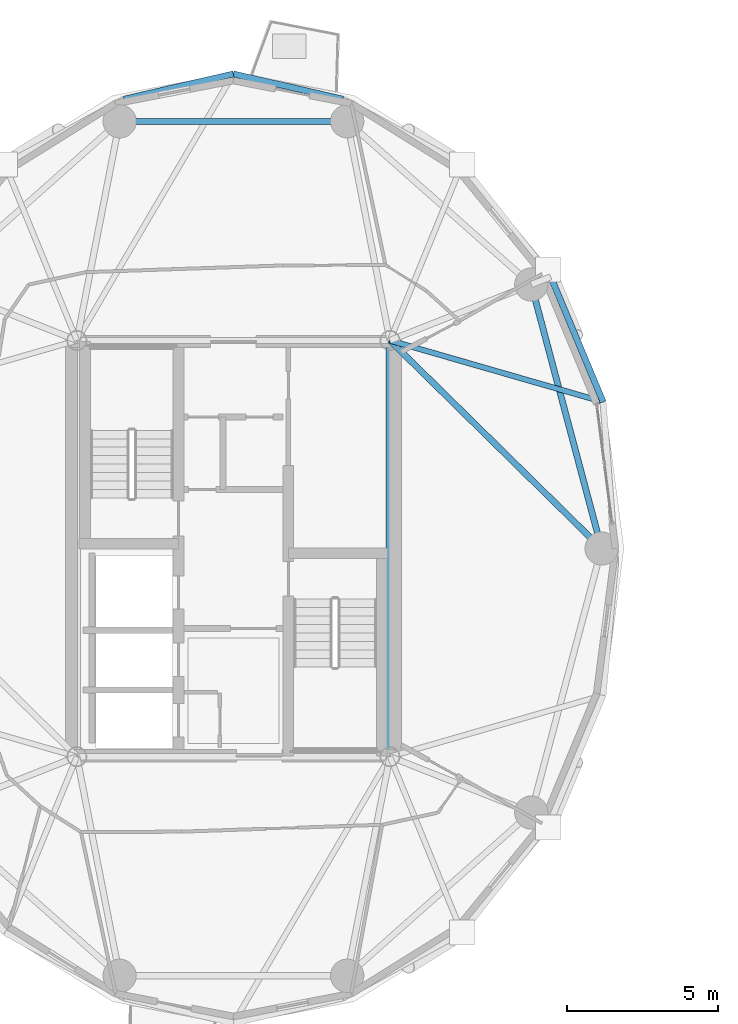
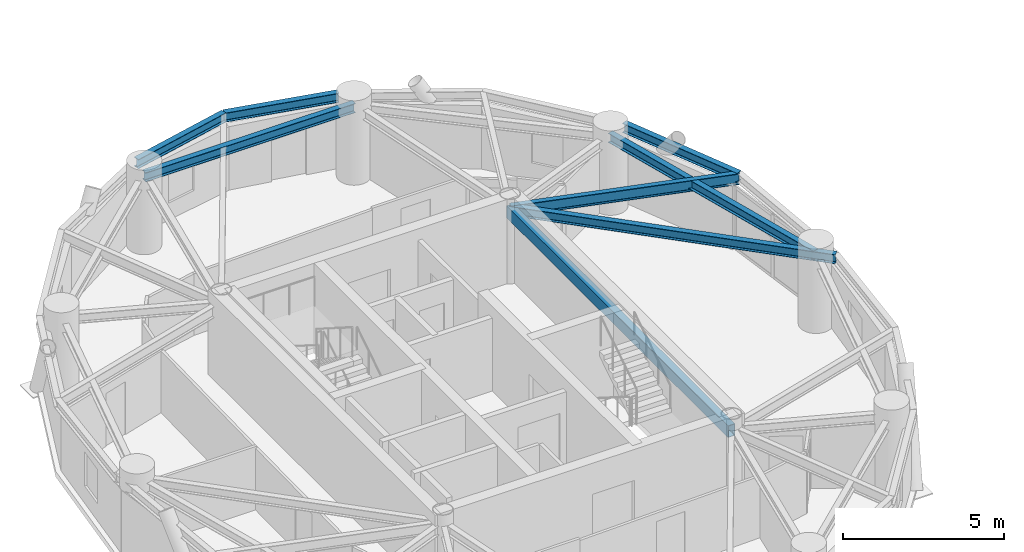
# One storey, part 2 of 15: 8 beams.
"""IFC4 building model written with IfcOpenShell, lengths in metres."""

from ifc_helpers import new_model, si_unit, direction, frame, origin, origin_2d, place, context, subcontext, project, spatial, hollow_rectangle, i_section, extrude, material, material_profile, profile_set, type_object, element, save


model = new_model("IFC4")

# Units and contexts
model_context = context("Model", 3, precision=1e-05, world=origin(), true_north=direction((0.0, 1.0)))
body_context = subcontext(model_context, "Body", "Model", "MODEL_VIEW")
ifc_project = project(units=[si_unit("LENGTHUNIT", "METRE"), si_unit("AREAUNIT", "SQUARE_METRE"), si_unit("VOLUMEUNIT", "CUBIC_METRE"), si_unit("PLANEANGLEUNIT", "RADIAN"), si_unit("MASSUNIT", "GRAM", prefix="KILO")], contexts=[model_context])

# Site, building, storey
site_placement = place(None, origin())
site = spatial("IfcSite", under=ifc_project, at=site_placement, CompositionType="ELEMENT")
building_placement = place(site_placement, origin())
building = spatial("IfcBuilding", under=site, at=building_placement, Name="Cununo Teusaquillo Station Towers", CompositionType="ELEMENT")
storey_placement = place(building_placement, frame((0.0, 0.0, 232.449951171875)))
storey = spatial("IfcBuildingStorey", under=building, at=storey_placement, Name="L74", CompositionType="ELEMENT", Elevation=232.449951171875)

# Beams
ifc_material_1 = material(Name="Steel EN 10025-2 S355J2", Category="steel")
ifc_material_profile_1 = material_profile(ifc_material_1, hollow_rectangle(XDim=0.25, YDim=0.449951171875, WallThickness=0.01611328125, at=origin_2d()), Name="RHS 450x250x16")
ifc_profile_set_1 = profile_set([ifc_material_profile_1], Name="Steel EN 10025-2 S355J2")
beam_type_1 = type_object("IfcBeamType", Name="BM-COUP-1", PredefinedType="USERDEFINED", material=ifc_profile_set_1)
beam_1_placement = place(storey_placement, frame((21.675048828125, 17.6201171875, 2.554931640625), z_axis=(0.0, 1.0, 0.0), x_axis=(-1.0, 0.0, 0.0)))
element("IfcBeam", 1, at=beam_1_placement, inside=storey, type_object=beam_type_1, Name="L74 Tower A Core Beam 2", ObjectType="COUPLING BEAM", PredefinedType="USERDEFINED", context=body_context, shape_type="SweptSolid", body=[
    extrude(hollow_rectangle(XDim=0.25, YDim=0.449951171875, WallThickness=0.01611328125, at=origin_2d()), origin(), (0.0, 0.0, 1.0), 13.759765625),
])
ifc_material_2 = material(Name="Steel ASTM A572 Grade 50", Category="steel")
ifc_material_profile_2 = material_profile(ifc_material_2, i_section(OverallWidth=0.180908203125, OverallDepth=0.4169921875, WebThickness=0.010986328125, FlangeThickness=0.018310546875, FilletRadius=0.012939453125, at=origin_2d()), Name="W16X57")
ifc_profile_set_2 = profile_set([ifc_material_profile_2], Name="Steel ASTM A572 Grade 50")
beam_type_2 = type_object("IfcBeamType", Name="BM-JOIST-1", PredefinedType="JOIST", material=ifc_profile_set_2)
beam_2_placement = place(storey_placement, frame((21.675048828125, 31.3798828125, 2.571533203125), z_axis=(0.960861603375, -0.277028841748, 0.0), x_axis=(0.277028841748, 0.960861603375, 0.0)))
element("IfcBeam", 2, at=beam_2_placement, inside=storey, type_object=beam_type_2, Name="L74 Tower A Radial Spandrel Joist V01", PredefinedType="JOIST", context=body_context, shape_type="SweptSolid", body=[
    extrude(i_section(OverallWidth=0.180908203125, OverallDepth=0.4169921875, WebThickness=0.010986328125, FlangeThickness=0.018310546875, FilletRadius=0.012939453125, at=origin_2d()), origin(), (0.0, 0.0, 1.0), 7.333251953125),
])
ifc_material_3 = material(Name="Steel ASTM A572 Grade 50", Category="steel")
ifc_material_profile_3 = material_profile(ifc_material_3, i_section(OverallWidth=0.2041015625, OverallDepth=0.35009765625, WebThickness=0.008544921875, FlangeThickness=0.01513671875, FilletRadius=0.011962890625, at=origin_2d()), Name="W14X48")
ifc_profile_set_3 = profile_set([ifc_material_profile_3], Name="Steel ASTM A572 Grade 50")
beam_type_3 = type_object("IfcBeamType", Name="BM-RAD-G3", PredefinedType="BEAM", material=ifc_profile_set_3)
beam_3_placement = place(storey_placement, frame((21.675048828125, 31.3798828125, 2.60498046875), z_axis=(0.713043510712, -0.701119784225, 0.0), x_axis=(0.701119784225, 0.713043510712, 0.0)))
element("IfcBeam", 3, at=beam_3_placement, inside=storey, type_object=beam_type_3, Name="L74 Tower A Continuous Overhanging Radial Girder 01", PredefinedType="BEAM", context=body_context, shape_type="SweptSolid", body=[
    extrude(i_section(OverallWidth=0.2041015625, OverallDepth=0.35009765625, WebThickness=0.008544921875, FlangeThickness=0.01513671875, FilletRadius=0.011962890625, at=origin_2d()), origin(), (0.0, 0.0, 1.0), 10.462890625),
])
ifc_material_4 = material(Name="Steel ASTM A572 Grade 50", Category="steel")
ifc_material_profile_4 = material_profile(ifc_material_4, i_section(OverallWidth=0.2041015625, OverallDepth=0.35009765625, WebThickness=0.008544921875, FlangeThickness=0.01513671875, FilletRadius=0.011962890625, at=origin_2d()), Name="W14X48")
ifc_profile_set_4 = profile_set([ifc_material_profile_4], Name="Steel ASTM A572 Grade 50")
beam_type_4 = type_object("IfcBeamType", Name="BM-RING-Z4", PredefinedType="SPANDREL", material=ifc_profile_set_4)
beam_4_placement = place(storey_placement, frame((28.672119140625, 24.5, 2.60498046875), z_axis=(-0.257363196347, 0.966314744359, 0.0), x_axis=(-0.966314744359, -0.257363196347, 0.0)))
element("IfcBeam", 4, at=beam_4_placement, inside=storey, type_object=beam_type_4, Name="L74 Tower A Structural Column Ring Girder 01", PredefinedType="SPANDREL", context=body_context, shape_type="SweptSolid", body=[
    extrude(i_section(OverallWidth=0.2041015625, OverallDepth=0.35009765625, WebThickness=0.008544921875, FlangeThickness=0.01513671875, FilletRadius=0.011962890625, at=origin_2d()), origin(), (0.0, 0.0, 1.0), 9.03271484375),
])
beam_5_placement = place(storey_placement, frame((20.261474609375, 38.623291015625, 2.60498046875), z_axis=(-1.0, 0.0, 0.0), x_axis=(0.0, -1.0, 0.0)))
element("IfcBeam", 5, at=beam_5_placement, inside=storey, type_object=beam_type_4, Name="L74 Tower A Structural Column Ring Girder 03", PredefinedType="SPANDREL", context=body_context, shape_type="SweptSolid", body=[
    extrude(i_section(OverallWidth=0.2041015625, OverallDepth=0.35009765625, WebThickness=0.008544921875, FlangeThickness=0.01513671875, FilletRadius=0.011962890625, at=origin_2d()), origin(), (0.0, 0.0, 1.0), 7.52294921875),
])
beam_6_placement = place(storey_placement, frame((28.72119140625, 29.348388671875, 2.60498046875), z_axis=(-0.386115454066, 0.922450462698, 0.0), x_axis=(-0.922450462698, -0.386115454066, 0.0)))
element("IfcBeam", 6, at=beam_6_placement, inside=storey, type_object=beam_type_4, Name="L74 Tower A Spandrel Ring Beam 02", PredefinedType="SPANDREL", context=body_context, shape_type="SweptSolid", body=[
    extrude(i_section(OverallWidth=0.2041015625, OverallDepth=0.35009765625, WebThickness=0.008544921875, FlangeThickness=0.01513671875, FilletRadius=0.011962890625, at=origin_2d()), origin(), (0.0, 0.0, 1.0), 4.482421875),
])
for number, where, z_axis, x_axis, name in (
    (7, (20.118896484375, 39.353515625, 2.60498046875), (-0.97431470066, 0.225190728224, 0.0), (-0.225190728224, -0.97431470066, 0.0), "L74 Tower A Spandrel Ring Beam 05"),
    (8, (16.5, 40.18994140625, 2.60498046875), (-0.97431470066, -0.225190728224, 0.0), (0.225190728224, -0.97431470066, 0.0), "L74 Tower A Spandrel Ring Beam 06"),
):
    element("IfcBeam", number, at=place(storey_placement, frame(where, z_axis=z_axis, x_axis=x_axis)), inside=storey, type_object=beam_type_4, Name=name, PredefinedType="SPANDREL", context=body_context, shape_type="SweptSolid", body=[
        extrude(i_section(OverallWidth=0.2041015625, OverallDepth=0.35009765625, WebThickness=0.008544921875, FlangeThickness=0.01513671875, FilletRadius=0.011962890625, at=origin_2d()), origin(), (0.0, 0.0, 1.0), 3.71435546875),
    ])

save(model, "model.ifc")
